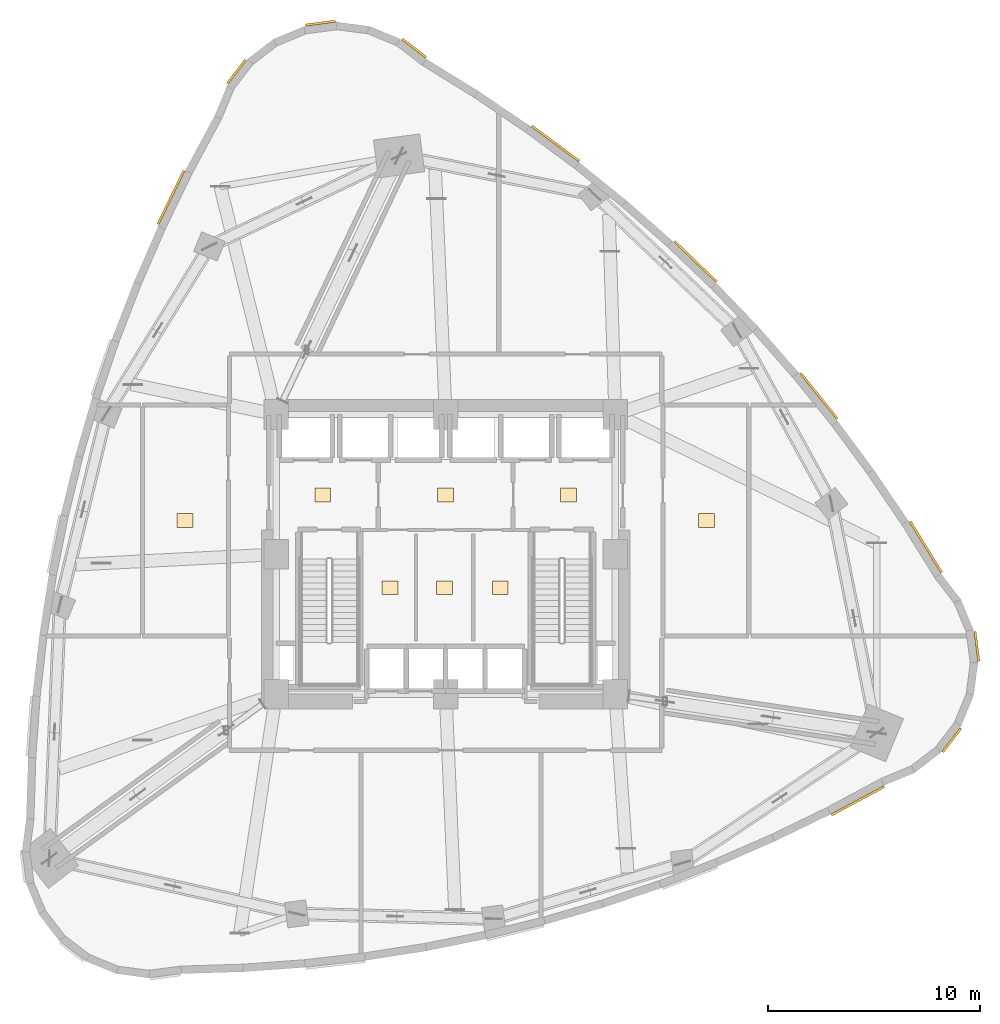
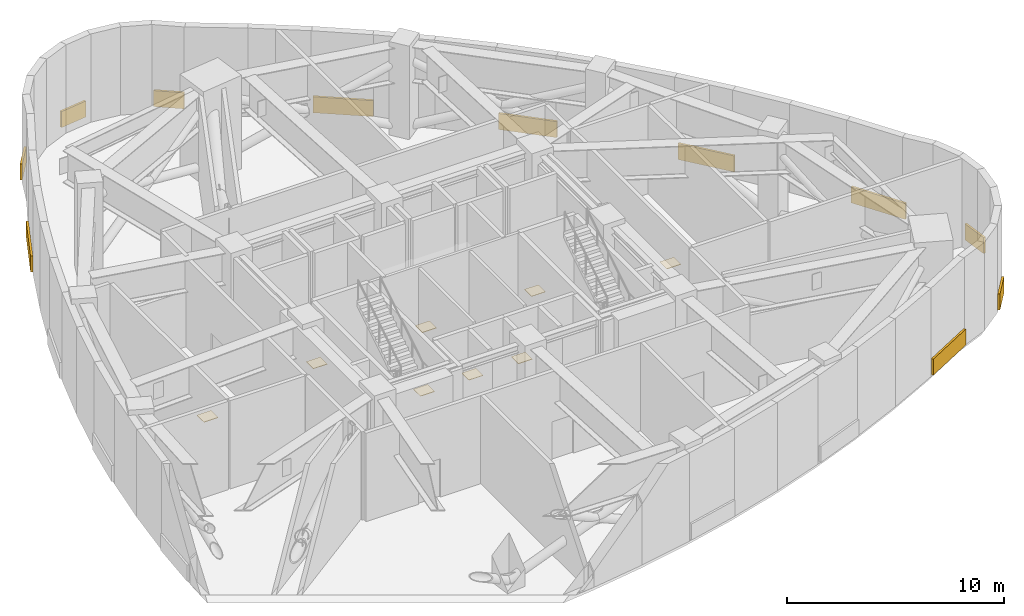
# One storey, part 13 of 13: 19 coverings.
"""IFC4 building model written with IfcOpenShell, lengths in metres."""

from ifc_helpers import new_model, si_unit, direction, frame, origin, origin_2d, place, context, subcontext, project, spatial, rectangle, extrude, material, layer, layer_set, type_object, element, save


model = new_model("IFC4")

# Units and contexts
model_context = context("Model", 3, precision=1e-05, world=origin(), true_north=direction((0.0, 1.0)))
body_context = subcontext(model_context, "Body", "Model", "MODEL_VIEW")
ifc_project = project(units=[si_unit("LENGTHUNIT", "METRE"), si_unit("AREAUNIT", "SQUARE_METRE"), si_unit("VOLUMEUNIT", "CUBIC_METRE"), si_unit("PLANEANGLEUNIT", "RADIAN"), si_unit("MASSUNIT", "GRAM", prefix="KILO")], contexts=[model_context])

# Site, building, storey
site_placement = place(None, origin())
site = spatial("IfcSite", under=ifc_project, at=site_placement, CompositionType="ELEMENT")
building_placement = place(site_placement, origin())
building = spatial("IfcBuilding", under=site, at=building_placement, Name="Ndelora Gate Hotel", CompositionType="ELEMENT")
storey_placement = place(building_placement, frame((0.0, 0.0, 83.0)))
storey = spatial("IfcBuildingStorey", under=building, at=storey_placement, Name="L20", CompositionType="ELEMENT", Elevation=83.0)

# Coverings
ifc_material_1 = material(Name="Terracotta Fired Clay Brick Slip Cladding", Category="masonry")
ifc_layer_1 = layer(ifc_material_1, 0.110107421875)
ifc_layer_set_1 = layer_set([ifc_layer_1], Name="Terracotta Fired Clay Brick Slip Cladding")
covering_type_1 = type_object("IfcCoveringType", Name="COV-CLAD-BRK", PredefinedType="CLADDING", material=ifc_layer_set_1)
for number, where, z_axis, x_axis, name in (
    (1, (-1.48388671875, 23.880126953125, 0.10009765625), (0.0, 0.0, 1.0), (-0.793353340291, 0.608761429009, 0.0), "L20 Rounded-Corner Brick Cladding Band 1"),
    (2, (-5.90771484375, 25.065673828125, 0.10009765625), (0.0, 0.0, 1.0), (0.991444861374, 0.13052619222, 0.0), "L20 Rounded-Corner Brick Cladding Band 4"),
    (3, (-9.873779296875, 22.775634765625, 0.10009765625), (0.0, 0.0, 1.0), (0.608761429009, 0.793353340291, 0.0), "L20 Rounded-Corner Brick Cladding Band 7"),
):
    element("IfcCovering", number, at=place(storey_placement, frame(where, z_axis=z_axis, x_axis=x_axis)), inside=storey, type_object=covering_type_1, Name=name, PredefinedType="CLADDING", context=body_context, shape_type="SweptSolid", body=[
        extrude(rectangle(XDim=1.4140625, YDim=0.110107421875, at=origin_2d()), origin(), (0.0, 0.0, 1.0), 0.89990234375),
    ])
covering_1_placement = place(storey_placement, frame((-12.964111328125, 16.8388671875, 0.10009765625), z_axis=(0.0, 0.0, 1.0), x_axis=(0.436644779265, 0.899634001548, 0.0)))
element("IfcCovering", 4, at=covering_1_placement, inside=storey, type_object=covering_type_1, Name="L20 Rounded-Corner Brick Cladding Band 10", PredefinedType="CLADDING", context=body_context, shape_type="SweptSolid", body=[
    extrude(rectangle(XDim=2.81103515625, YDim=0.110107421875, at=origin_2d()), origin(), (0.0, 0.0, 1.0), 0.89990234375),
])
covering_2_placement = place(storey_placement, frame((19.45068359375, -11.62939453125, 0.10009765625), z_axis=(0.0, 0.0, 1.0), x_axis=(0.881055904267, 0.47301214948, 0.0)))
element("IfcCovering", 5, at=covering_2_placement, inside=storey, type_object=covering_type_1, Name="L20 Rounded-Corner Brick Cladding Band 40", PredefinedType="CLADDING", context=body_context, shape_type="SweptSolid", body=[
    extrude(rectangle(XDim=2.8369140625, YDim=0.110107421875, at=origin_2d()), origin(), (0.0, 0.0, 1.0), 0.89990234375),
])
for number, where, z_axis, x_axis, name in (
    (6, (23.880126953125, -8.76953125, 0.10009765625), (0.0, 0.0, 1.0), (0.608761429009, 0.793353340291, 0.0), "L20 Rounded-Corner Brick Cladding Band 43"),
    (7, (25.065673828125, -4.345703125, 0.10009765625), (0.0, 0.0, 1.0), (-0.13052619222, 0.991444861374, 0.0), "L20 Rounded-Corner Brick Cladding Band 46"),
):
    element("IfcCovering", number, at=place(storey_placement, frame(where, z_axis=z_axis, x_axis=x_axis)), inside=storey, type_object=covering_type_1, Name=name, PredefinedType="CLADDING", context=body_context, shape_type="SweptSolid", body=[
        extrude(rectangle(XDim=1.4140625, YDim=0.110107421875, at=origin_2d()), origin(), (0.0, 0.0, 1.0), 0.89990234375),
    ])
covering_3_placement = place(storey_placement, frame((22.659423828125, 0.345947265625, 0.10009765625), z_axis=(0.0, 0.0, 1.0), x_axis=(-0.52651072051, 0.850168489882, 0.0)))
element("IfcCovering", 8, at=covering_3_placement, inside=storey, type_object=covering_type_1, Name="L20 Rounded-Corner Brick Cladding Band 49", PredefinedType="CLADDING", context=body_context, shape_type="SweptSolid", body=[
    extrude(rectangle(XDim=2.8369140625, YDim=0.110107421875, at=origin_2d()), origin(), (0.0, 0.0, 1.0), 0.89990234375),
])
covering_4_placement = place(storey_placement, frame((17.614990234375, 7.4716796875, 0.10009765625), z_axis=(0.0, 0.0, 1.0), x_axis=(-0.627963057649, 0.778243148526, 0.0)))
element("IfcCovering", 9, at=covering_4_placement, inside=storey, type_object=covering_type_1, Name="L20 Rounded-Corner Brick Cladding Band 52", PredefinedType="CLADDING", context=body_context, shape_type="SweptSolid", body=[
    extrude(rectangle(XDim=2.77490234375, YDim=0.110107421875, at=origin_2d()), origin(), (0.0, 0.0, 1.0), 0.89990234375),
])
covering_5_placement = place(storey_placement, frame((11.7890625, 13.81787109375, 0.10009765625), z_axis=(0.0, 0.0, 1.0), x_axis=(-0.722122534463, 0.691765166238, 0.0)))
element("IfcCovering", 10, at=covering_5_placement, inside=storey, type_object=covering_type_1, Name="L20 Rounded-Corner Brick Cladding Band 55", PredefinedType="CLADDING", context=body_context, shape_type="SweptSolid", body=[
    extrude(rectangle(XDim=2.760009765625, YDim=0.110107421875, at=origin_2d()), origin(), (0.0, 0.0, 1.0), 0.89990234375),
])
covering_6_placement = place(storey_placement, frame((5.18310546875, 19.38330078125, 0.10009765625), z_axis=(0.0, 0.0, 1.0), x_axis=(-0.803960664534, 0.594682478203, 0.0)))
element("IfcCovering", 11, at=covering_6_placement, inside=storey, type_object=covering_type_1, Name="L20 Rounded-Corner Brick Cladding Band 58", PredefinedType="CLADDING", context=body_context, shape_type="SweptSolid", body=[
    extrude(rectangle(XDim=2.791015625, YDim=0.110107421875, at=origin_2d()), origin(), (0.0, 0.0, 1.0), 0.89990234375),
])
ifc_material_2 = material(Name="Non-Slip Porcelain Wet-Room Tile", Category="ceramic")
ifc_layer_2 = layer(ifc_material_2, 0.02490234375)
ifc_layer_set_2 = layer_set([ifc_layer_2], Name="Non-Slip Porcelain Wet-Room Tile")
covering_type_2 = type_object("IfcCoveringType", Name="COV-FLR-TILE", PredefinedType="FLOORING", material=ifc_layer_set_2)
for number, where, z_axis, x_axis, name in (
    (12, (-5.800048828125, 2.800048828125, 0.0), (0.0, 0.0, 1.0), (1.0, 0.0, 0.0), "L20 Firefighting Lift Lobby West Porcelain Tile Flooring"),
    (13, (5.800048828125, 2.800048828125, 0.0), (0.0, 0.0, 1.0), (1.0, 0.0, 0.0), "L20 Firefighting Lift Lobby East Porcelain Tile Flooring"),
    (14, (0.0, 2.800048828125, 0.0), (0.0, 0.0, 1.0), (1.0, 0.0, 0.0), "L20 Central Passenger Lift Lobby Porcelain Tile Flooring"),
    (15, (-2.625, -1.574951171875, 0.0), (0.0, 0.0, 1.0), (1.0, 0.0, 0.0), "L20 Core Cleaners Store Porcelain Tile Flooring"),
    (16, (-0.050048828125, -1.574951171875, 0.0), (0.0, 0.0, 1.0), (1.0, 0.0, 0.0), "L20 Core Telecoms Equipment Room Porcelain Tile Flooring"),
    (17, (2.574951171875, -1.574951171875, 0.0), (0.0, 0.0, 1.0), (1.0, 0.0, 0.0), "L20 Core Electrical Metering Room Porcelain Tile Flooring"),
    (18, (-12.300048828125, 1.60009765625, 0.0), (0.0, 0.0, 1.0), (1.0, 0.0, 0.0), "L20 Designated Area of Refuge West Porcelain Tile Flooring"),
    (19, (12.300048828125, 1.60009765625, 0.0), (0.0, 0.0, 1.0), (1.0, 0.0, 0.0), "L20 Designated Area of Refuge East Porcelain Tile Flooring"),
):
    element("IfcCovering", number, at=place(storey_placement, frame(where, z_axis=z_axis, x_axis=x_axis)), inside=storey, type_object=covering_type_2, Name=name, PredefinedType="FLOORING", context=body_context, shape_type="SweptSolid", body=[
        extrude(rectangle(XDim=0.75, YDim=0.64990234375, at=origin_2d()), origin(), (0.0, 0.0, 1.0), 0.02490234375),
    ])

save(model, "model.ifc")
